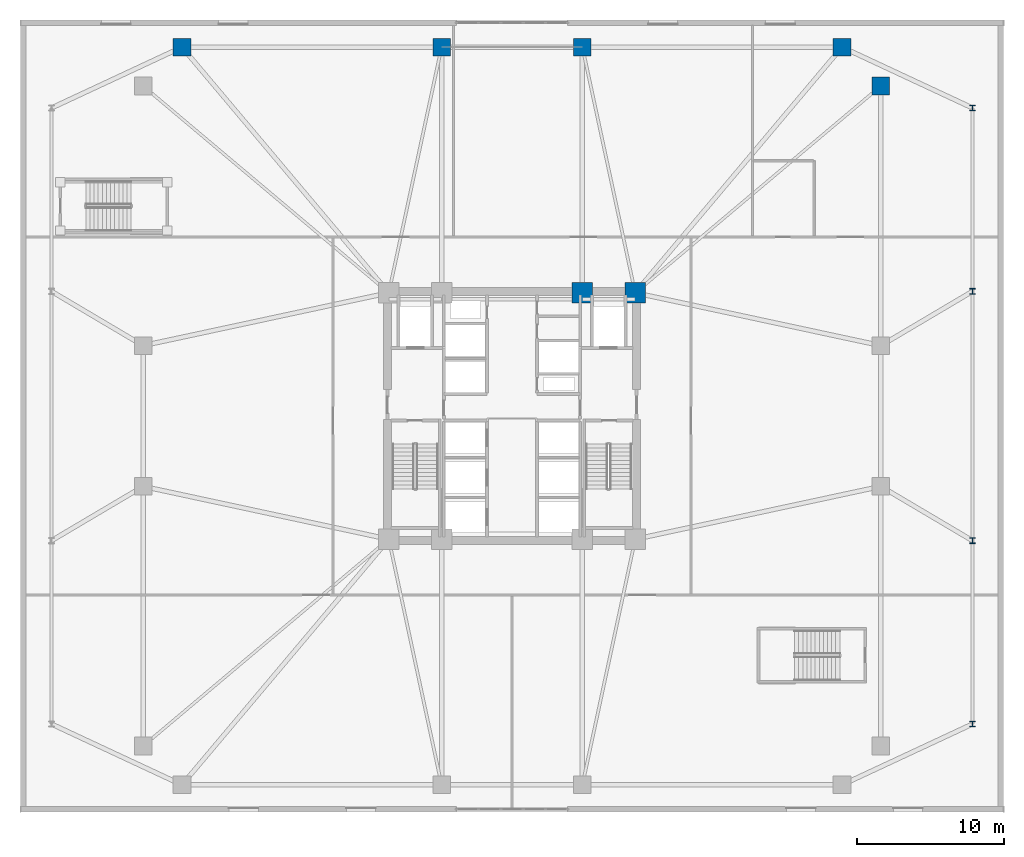
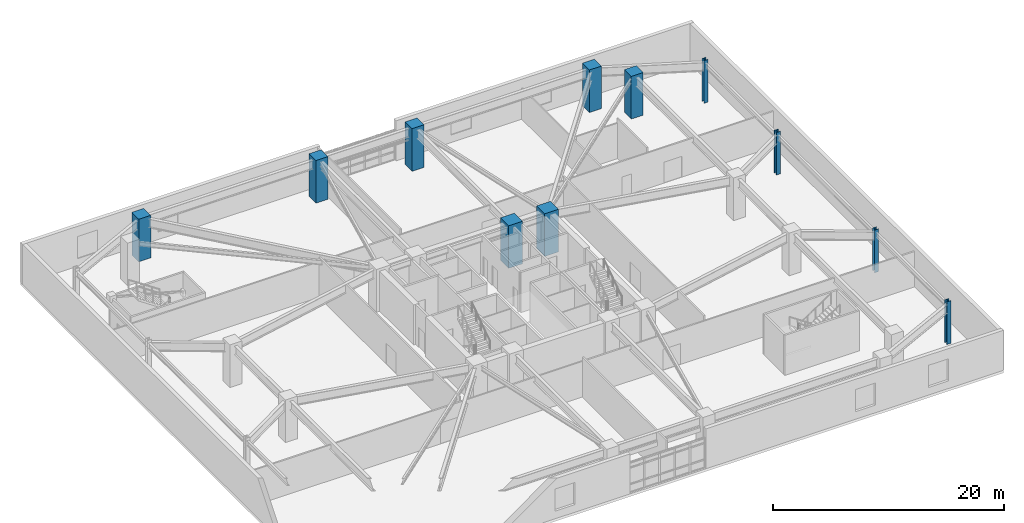
# One storey, part 2 of 21: 11 columns.
"""IFC4 building model written with IfcOpenShell, lengths in metres."""

from ifc_helpers import new_model, si_unit, direction, frame, origin, origin_2d, place, context, subcontext, project, spatial, rectangle, i_section, extrude, material, material_profile, profile_set, type_object, element, save


model = new_model("IFC4")

# Units and contexts
model_context = context("Model", 3, precision=1e-05, world=origin(), true_north=direction((0.0, 1.0)))
body_context = subcontext(model_context, "Body", "Model", "MODEL_VIEW")
ifc_project = project(units=[si_unit("LENGTHUNIT", "METRE"), si_unit("AREAUNIT", "SQUARE_METRE"), si_unit("VOLUMEUNIT", "CUBIC_METRE"), si_unit("PLANEANGLEUNIT", "RADIAN"), si_unit("MASSUNIT", "GRAM", prefix="KILO")], contexts=[model_context])

# Site, building, storey
site_placement = place(None, origin())
site = spatial("IfcSite", under=ifc_project, at=site_placement, CompositionType="ELEMENT")
building_placement = place(site_placement, origin())
building = spatial("IfcBuilding", under=site, at=building_placement, Name="Cairnveth Concourse Tower", CompositionType="ELEMENT")
storey_placement = place(building_placement, frame((0.0, 0.0, 10.0)))
storey = spatial("IfcBuildingStorey", under=building, at=storey_placement, Name="L02", CompositionType="ELEMENT", Elevation=10.0)

# Columns
ifc_material_1 = material(Name="Concrete N80 (80 MPa)", Category="concrete")
ifc_material_profile_1 = material_profile(ifc_material_1, rectangle(XDim=1.39990234375, YDim=1.39990234375, at=origin_2d()), Name="RC-COL-1400x1400")
ifc_profile_set_1 = profile_set([ifc_material_profile_1], Name="Concrete N80 (80 MPa)")
column_type_1 = type_object("IfcColumnType", Name="CORE COLUMN 1400X1400", PredefinedType="COLUMN", material=ifc_profile_set_1)
for number, where, z_axis, x_axis, name in (
    (1, (56.800048828125, 47.39990234375, 0.0), (0.0, 0.0, 1.0), (1.0, 0.0, 0.0), "Column CC7 L02"),
    (2, (60.39990234375, 47.39990234375, 0.0), (0.0, 0.0, 1.0), (1.0, 0.0, 0.0), "Column CC8 L02"),
):
    element("IfcColumn", number, at=place(storey_placement, frame(where, z_axis=z_axis, x_axis=x_axis)), inside=storey, type_object=column_type_1, Name=name, PredefinedType="COLUMN", context=body_context, shape_type="SweptSolid", body=[
        extrude(rectangle(XDim=1.39990234375, YDim=1.39990234375, at=origin_2d()), origin(), (0.0, 0.0, 1.0), 4.5),
    ])
ifc_material_profile_2 = material_profile(ifc_material_1, rectangle(XDim=1.199951171875, YDim=1.199951171875, at=origin_2d()), Name="RC-COL-1200x1200")
ifc_profile_set_2 = profile_set([ifc_material_profile_2], Name="Concrete N80 (80 MPa)")
column_type_2 = type_object("IfcColumnType", Name="PERIMETER PIER COLUMN 1200X1200", PredefinedType="COLUMN", material=ifc_profile_set_2)
for number, where, z_axis, x_axis, name in (
    (3, (77.14990234375, 61.5, 0.0), (0.0, 0.0, 1.0), (1.0, 0.0, 0.0), "Column Z1-E4 L02"),
    (4, (74.5, 64.14990234375, 0.0), (0.0, 0.0, 1.0), (1.0, 0.0, 0.0), "Column Z1-N1 L02"),
    (5, (56.800048828125, 64.14990234375, 0.0), (0.0, 0.0, 1.0), (1.0, 0.0, 0.0), "Column Z1-N2 L02"),
    (6, (47.199951171875, 64.14990234375, 0.0), (0.0, 0.0, 1.0), (1.0, 0.0, 0.0), "Column Z1-N3 L02"),
    (7, (29.5, 64.14990234375, 0.0), (0.0, 0.0, 1.0), (1.0, 0.0, 0.0), "Column Z1-N4 L02"),
):
    element("IfcColumn", number, at=place(storey_placement, frame(where, z_axis=z_axis, x_axis=x_axis)), inside=storey, type_object=column_type_2, Name=name, PredefinedType="COLUMN", context=body_context, shape_type="SweptSolid", body=[
        extrude(rectangle(XDim=1.199951171875, YDim=1.199951171875, at=origin_2d()), origin(), (0.0, 0.0, 1.0), 4.5),
    ])
ifc_material_2 = material(Name="Steel Grade 350", Category="steel")
ifc_material_profile_3 = material_profile(ifc_material_2, i_section(OverallWidth=0.39990234375, OverallDepth=0.39990234375, WebThickness=0.028076171875, FlangeThickness=0.044921875, at=origin_2d()), Name="400WC328")
ifc_profile_set_3 = profile_set([ifc_material_profile_3], Name="Steel Grade 350")
column_type_3 = type_object("IfcColumnType", Name="WELDED STEEL COLUMN 400WC328", PredefinedType="COLUMN", material=ifc_profile_set_3)
for number, where, z_axis, x_axis, name in (
    (8, (83.39990234375, 18.0, 0.0), (0.0, 0.0, 1.0), (1.0, 0.0, 0.0), "Column PC-E1 L02"),
    (9, (83.39990234375, 30.5, 0.0), (0.0, 0.0, 1.0), (1.0, 0.0, 0.0), "Column PC-E2 L02"),
    (10, (83.39990234375, 47.5, 0.0), (0.0, 0.0, 1.0), (1.0, 0.0, 0.0), "Column PC-E3 L02"),
    (11, (83.39990234375, 60.0, 0.0), (0.0, 0.0, 1.0), (1.0, 0.0, 0.0), "Column PC-E4 L02"),
):
    element("IfcColumn", number, at=place(storey_placement, frame(where, z_axis=z_axis, x_axis=x_axis)), inside=storey, type_object=column_type_3, Name=name, PredefinedType="COLUMN", context=body_context, shape_type="SweptSolid", body=[
        extrude(i_section(OverallWidth=0.39990234375, OverallDepth=0.39990234375, WebThickness=0.028076171875, FlangeThickness=0.044921875, at=origin_2d()), origin(), (0.0, 0.0, 1.0), 4.5),
    ])

save(model, "model.ifc")
